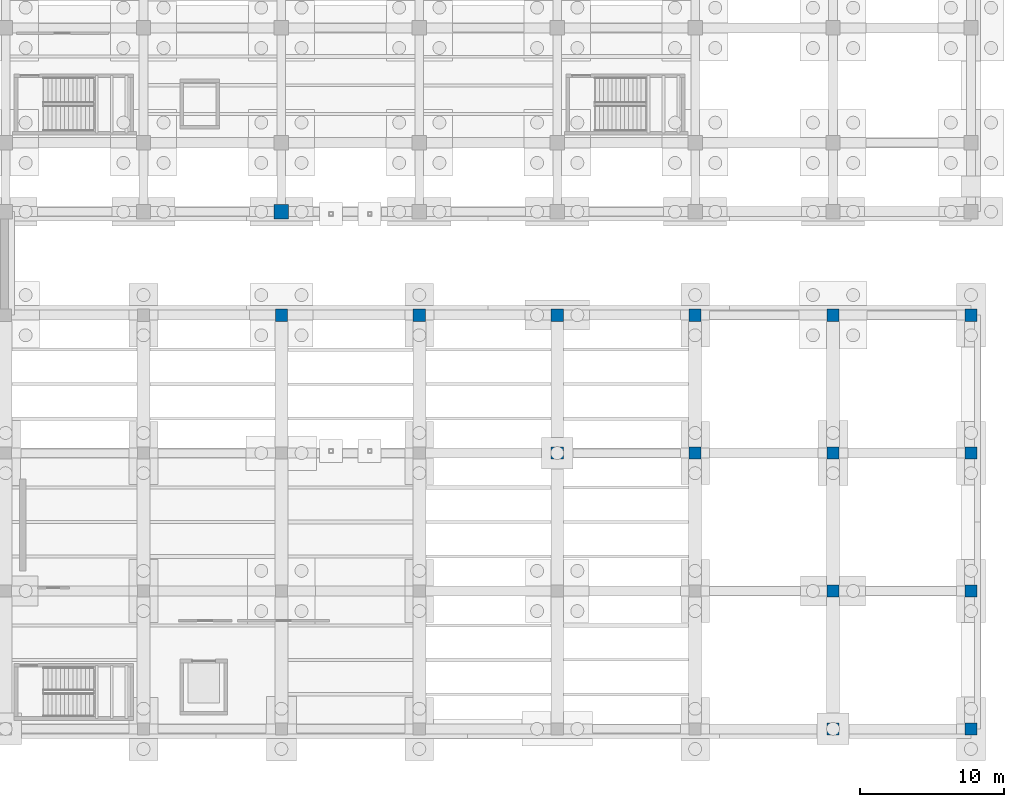
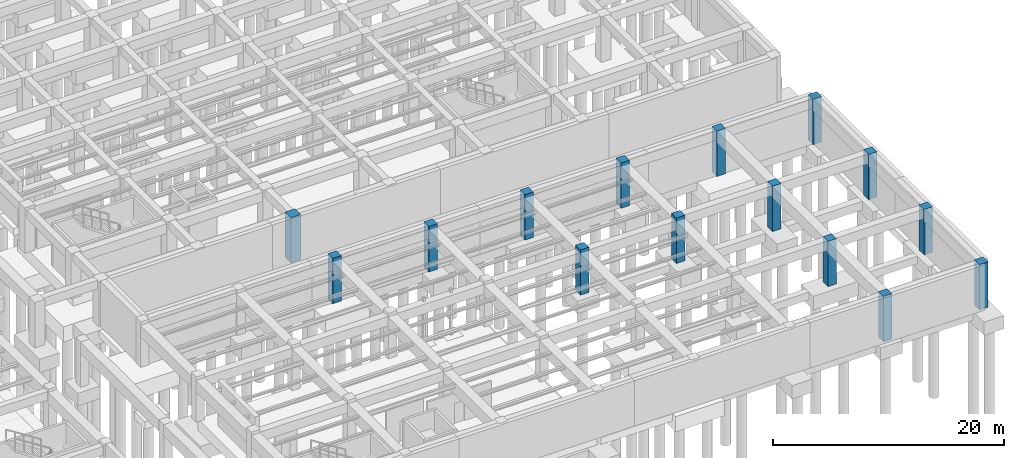
# One storey, part 22 of 56: 15 columns.
"""IFC4 building model written with IfcOpenShell, lengths in metres."""

from ifc_helpers import new_model, si_unit, direction, frame, origin, origin_2d, place, context, subcontext, project, spatial, rectangle, extrude, material, material_profile, profile_set, type_object, element, save


model = new_model("IFC4")

# Units and contexts
model_context = context("Model", 3, precision=1e-05, world=origin(), true_north=direction((0.0, 1.0)))
body_context = subcontext(model_context, "Body", "Model", "MODEL_VIEW")
ifc_project = project(units=[si_unit("LENGTHUNIT", "METRE"), si_unit("AREAUNIT", "SQUARE_METRE"), si_unit("VOLUMEUNIT", "CUBIC_METRE"), si_unit("PLANEANGLEUNIT", "RADIAN"), si_unit("MASSUNIT", "GRAM", prefix="KILO")], contexts=[model_context])

# Site, building, storey
site_placement = place(None, origin())
site = spatial("IfcSite", under=ifc_project, at=site_placement, CompositionType="ELEMENT")
building_placement = place(site_placement, origin())
building = spatial("IfcBuilding", under=site, at=building_placement, Name="Mavantir Sound Aquarium", CompositionType="ELEMENT")
storey_placement = place(building_placement, frame((0.0, 0.0, -9.60009765625)))
storey = spatial("IfcBuildingStorey", under=building, at=storey_placement, Name="B2", CompositionType="ELEMENT", Elevation=-9.60009765625)

# Columns
ifc_material = material(Name="Concrete C40/50", Category="concrete")
ifc_material_profile_1 = material_profile(ifc_material, rectangle(XDim=1.0, YDim=1.0, at=origin_2d()), Name="RC 1000X1000")
ifc_profile_set_1 = profile_set([ifc_material_profile_1], Name="Concrete C40/50")
column_type_1 = type_object("IfcColumnType", Name="COL-RC1000-I", PredefinedType="COLUMN", material=ifc_profile_set_1)
column_placement = place(storey_placement, frame((127.199951171875, 36.0, 0.0), z_axis=(0.0, 0.0, 1.0), x_axis=(1.0, 0.0, 0.0)))
element("IfcColumn", 1, at=column_placement, inside=storey, type_object=column_type_1, Name="B2 column RC-C10 (V4)", PredefinedType="COLUMN", context=body_context, shape_type="SweptSolid", body=[
    extrude(rectangle(XDim=1.0, YDim=1.0, at=origin_2d()), origin(), (0.0, 0.0, 1.0), 4.800048828125),
])
ifc_material_profile_2 = material_profile(ifc_material, rectangle(XDim=0.85009765625, YDim=0.85009765625, at=origin_2d()), Name="RC 850X850")
ifc_profile_set_2 = profile_set([ifc_material_profile_2], Name="Concrete C40/50")
column_type_2 = type_object("IfcColumnType", Name="COL-RC850-E", PredefinedType="COLUMN", material=ifc_profile_set_2)
for number, where, z_axis, x_axis, name in (
    (2, (165.60009765625, 0.0, 0.0), (0.0, 0.0, 1.0), (1.0, 0.0, 0.0), "B2 column RC-C85 (V6)"),
    (3, (175.199951171875, 0.0, 0.0), (0.0, 0.0, 1.0), (1.0, 0.0, 0.0), "B2 column RC-C85 (V6)"),
    (4, (175.199951171875, 9.60009765625, 0.0), (0.0, 0.0, 1.0), (1.0, 0.0, 0.0), "B2 column RC-C85 (V6)"),
    (5, (175.199951171875, 19.199951171875, 0.0), (0.0, 0.0, 1.0), (1.0, 0.0, 0.0), "B2 column RC-C85 (V6)"),
    (6, (175.199951171875, 28.800048828125, 0.0), (0.0, 0.0, 1.0), (1.0, 0.0, 0.0), "B2 column RC-C85 (V6)"),
):
    element("IfcColumn", number, at=place(storey_placement, frame(where, z_axis=z_axis, x_axis=x_axis)), inside=storey, type_object=column_type_2, Name=name, PredefinedType="COLUMN", context=body_context, shape_type="SweptSolid", body=[
        extrude(rectangle(XDim=0.85009765625, YDim=0.85009765625, at=origin_2d()), origin(), (0.0, 0.0, 1.0), 4.800048828125),
    ])
ifc_material_profile_3 = material_profile(ifc_material, rectangle(XDim=0.85009765625, YDim=0.85009765625, at=origin_2d()), Name="RC 850X850")
ifc_profile_set_3 = profile_set([ifc_material_profile_3], Name="Concrete C40/50")
column_type_3 = type_object("IfcColumnType", Name="COL-RC850-I", PredefinedType="COLUMN", material=ifc_profile_set_3)
for number, where, z_axis, x_axis, name in (
    (7, (127.199951171875, 28.800048828125, 0.0), (0.0, 0.0, 1.0), (1.0, 0.0, 0.0), "B2 column RC-C85 (V6)"),
    (8, (136.800048828125, 28.800048828125, 0.0), (0.0, 0.0, 1.0), (1.0, 0.0, 0.0), "B2 column RC-C85 (V6)"),
    (9, (146.39990234375, 19.199951171875, 0.0), (0.0, 0.0, 1.0), (1.0, 0.0, 0.0), "B2 column RC-C85 (V6)"),
    (10, (146.39990234375, 28.800048828125, 0.0), (0.0, 0.0, 1.0), (1.0, 0.0, 0.0), "B2 column RC-C85 (V6)"),
    (11, (156.0, 19.199951171875, 0.0), (0.0, 0.0, 1.0), (1.0, 0.0, 0.0), "B2 column RC-C85 (V6)"),
    (12, (156.0, 28.800048828125, 0.0), (0.0, 0.0, 1.0), (1.0, 0.0, 0.0), "B2 column RC-C85 (V6)"),
    (13, (165.60009765625, 9.60009765625, 0.0), (0.0, 0.0, 1.0), (1.0, 0.0, 0.0), "B2 column RC-C85 (V6)"),
    (14, (165.60009765625, 19.199951171875, 0.0), (0.0, 0.0, 1.0), (1.0, 0.0, 0.0), "B2 column RC-C85 (V6)"),
    (15, (165.60009765625, 28.800048828125, 0.0), (0.0, 0.0, 1.0), (1.0, 0.0, 0.0), "B2 column RC-C85 (V6)"),
):
    element("IfcColumn", number, at=place(storey_placement, frame(where, z_axis=z_axis, x_axis=x_axis)), inside=storey, type_object=column_type_3, Name=name, PredefinedType="COLUMN", context=body_context, shape_type="SweptSolid", body=[
        extrude(rectangle(XDim=0.85009765625, YDim=0.85009765625, at=origin_2d()), origin(), (0.0, 0.0, 1.0), 4.800048828125),
    ])

save(model, "model.ifc")
